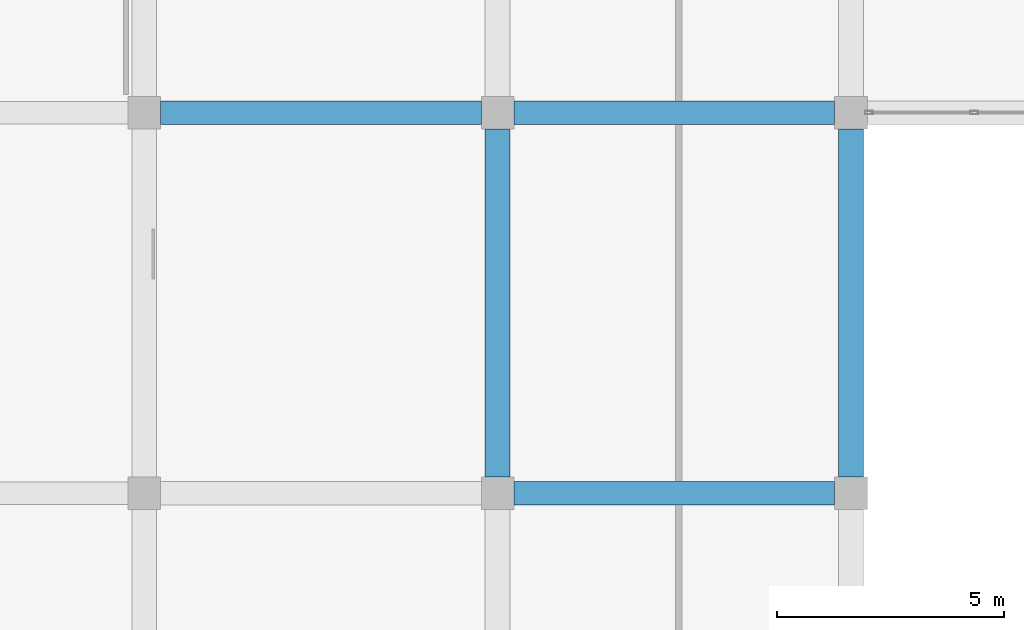
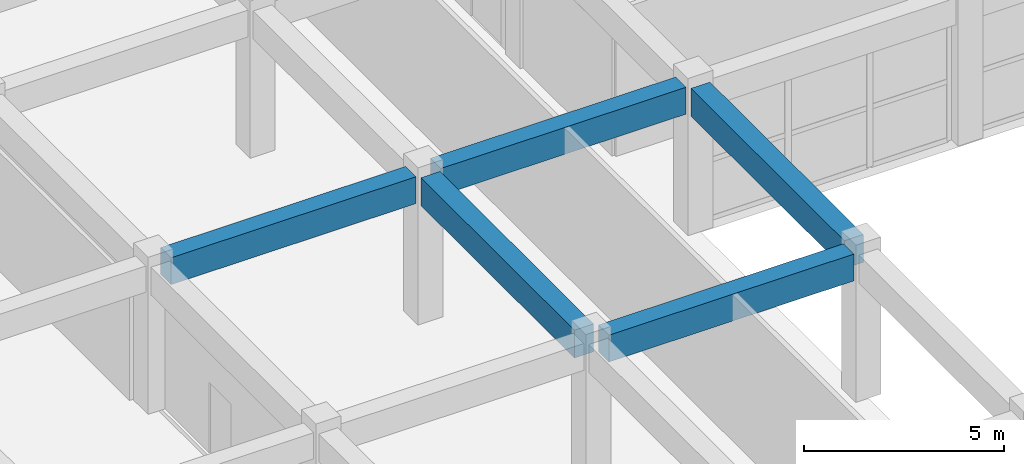
# One storey, part 74 of 139: 5 beams.
"""IFC4 building model written with IfcOpenShell, lengths in metres."""

from ifc_helpers import new_model, si_unit, direction, frame, origin, origin_2d, place, context, subcontext, project, spatial, rectangle, extrude, material, material_profile, profile_set, type_object, element, save


model = new_model("IFC4")

# Units and contexts
model_context = context("Model", 3, precision=1e-05, world=origin(), true_north=direction((0.0, 1.0)))
body_context = subcontext(model_context, "Body", "Model", "MODEL_VIEW")
ifc_project = project(units=[si_unit("LENGTHUNIT", "METRE"), si_unit("AREAUNIT", "SQUARE_METRE"), si_unit("VOLUMEUNIT", "CUBIC_METRE"), si_unit("PLANEANGLEUNIT", "RADIAN"), si_unit("MASSUNIT", "GRAM", prefix="KILO")], contexts=[model_context])

# Site, building, storey
site_placement = place(None, origin())
site = spatial("IfcSite", under=ifc_project, at=site_placement, CompositionType="ELEMENT")
building_placement = place(site_placement, origin())
building = spatial("IfcBuilding", under=site, at=building_placement, Name="Zizhar Promenade General Hospital", CompositionType="ELEMENT")
storey_placement = place(building_placement, origin())
storey = spatial("IfcBuildingStorey", under=building, at=storey_placement, Name="L00", CompositionType="ELEMENT", Elevation=0.0)

# Beams
ifc_material_1 = material(Name="Concrete C35/45", Category="concrete")
ifc_material_profile_1 = material_profile(ifc_material_1, rectangle(XDim=0.52001953125, YDim=0.820068359375, at=origin_2d()))
ifc_profile_set_1 = profile_set([ifc_material_profile_1], Name="Concrete C35/45")
beam_type_1 = type_object("IfcBeamType", Name="BM-RC-520x820", PredefinedType="BEAM", material=ifc_profile_set_1)
for number, where, z_axis, x_axis, name in (
    (1, (132.9599609375, 92.39990234375, 4.06005859375), (1.0, 0.0, 0.0), (0.0, 1.0, 0.0), "Grid Beam X L00 (17-11)"),
    (2, (140.760009765625, 84.0, 4.06005859375), (1.0, 0.0, 0.0), (0.0, 1.0, 0.0), "Grid Beam X L00 (18-10)"),
    (3, (140.760009765625, 92.39990234375, 4.06005859375), (1.0, 0.0, 0.0), (0.0, 1.0, 0.0), "Grid Beam X L00 (18-11)"),
):
    element("IfcBeam", number, at=place(storey_placement, frame(where, z_axis=z_axis, x_axis=x_axis)), inside=storey, type_object=beam_type_1, Name=name, PredefinedType="BEAM", context=body_context, shape_type="SweptSolid", body=[
        extrude(rectangle(XDim=0.52001953125, YDim=0.820068359375, at=origin_2d()), origin(), (0.0, 0.0, 1.0), 7.080078125),
    ])
ifc_material_2 = material(Name="Concrete C35/45", Category="concrete")
ifc_material_profile_2 = material_profile(ifc_material_2, rectangle(XDim=0.550048828125, YDim=0.85009765625, at=origin_2d()))
ifc_profile_set_2 = profile_set([ifc_material_profile_2], Name="Concrete C35/45")
beam_type_2 = type_object("IfcBeamType", Name="BM-RC-550x850", PredefinedType="BEAM", material=ifc_profile_set_2)
for number, where, z_axis, x_axis, name in (
    (4, (140.39990234375, 84.360107421875, 4.044921875), (0.0, 1.0, 0.0), (-1.0, 0.0, 0.0), "Grid Beam Y L00 (18-10)"),
    (5, (148.199951171875, 84.360107421875, 4.044921875), (0.0, 1.0, 0.0), (-1.0, 0.0, 0.0), "Grid Beam Y L00 (19-10)"),
):
    element("IfcBeam", number, at=place(storey_placement, frame(where, z_axis=z_axis, x_axis=x_axis)), inside=storey, type_object=beam_type_2, Name=name, PredefinedType="BEAM", context=body_context, shape_type="SweptSolid", body=[
        extrude(rectangle(XDim=0.550048828125, YDim=0.85009765625, at=origin_2d()), origin(), (0.0, 0.0, 1.0), 7.679931640625),
    ])

save(model, "model.ifc")
